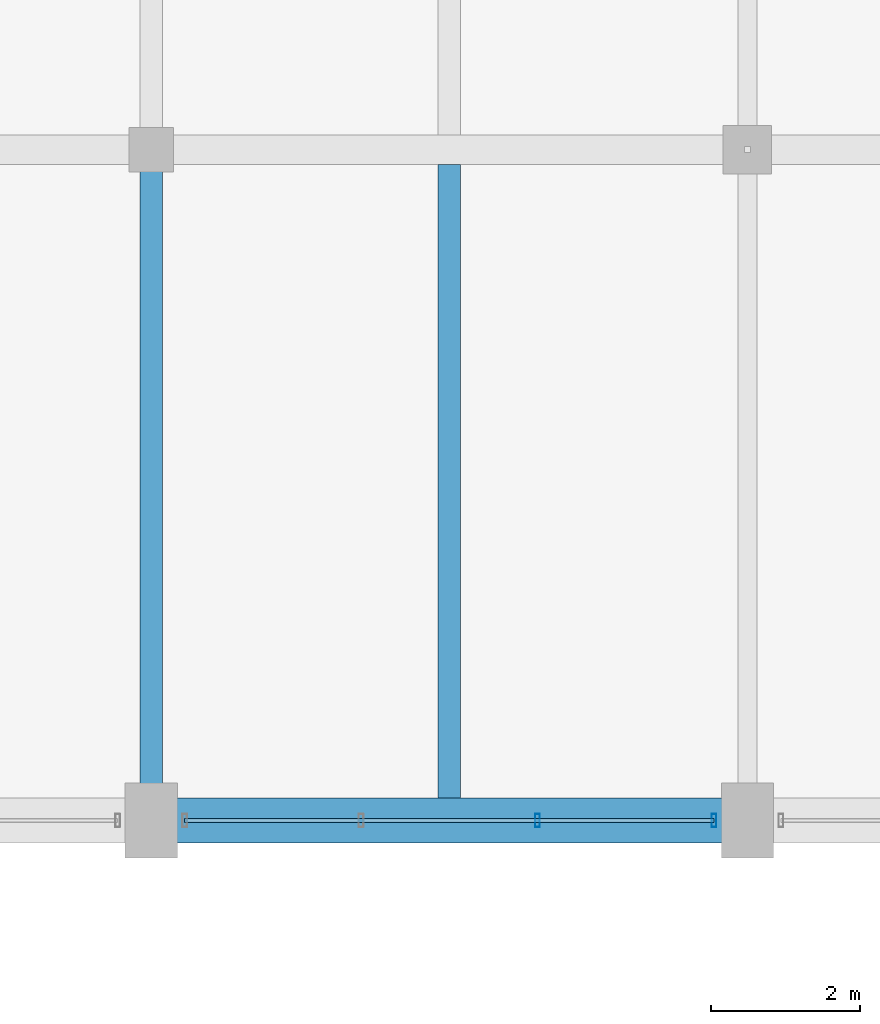
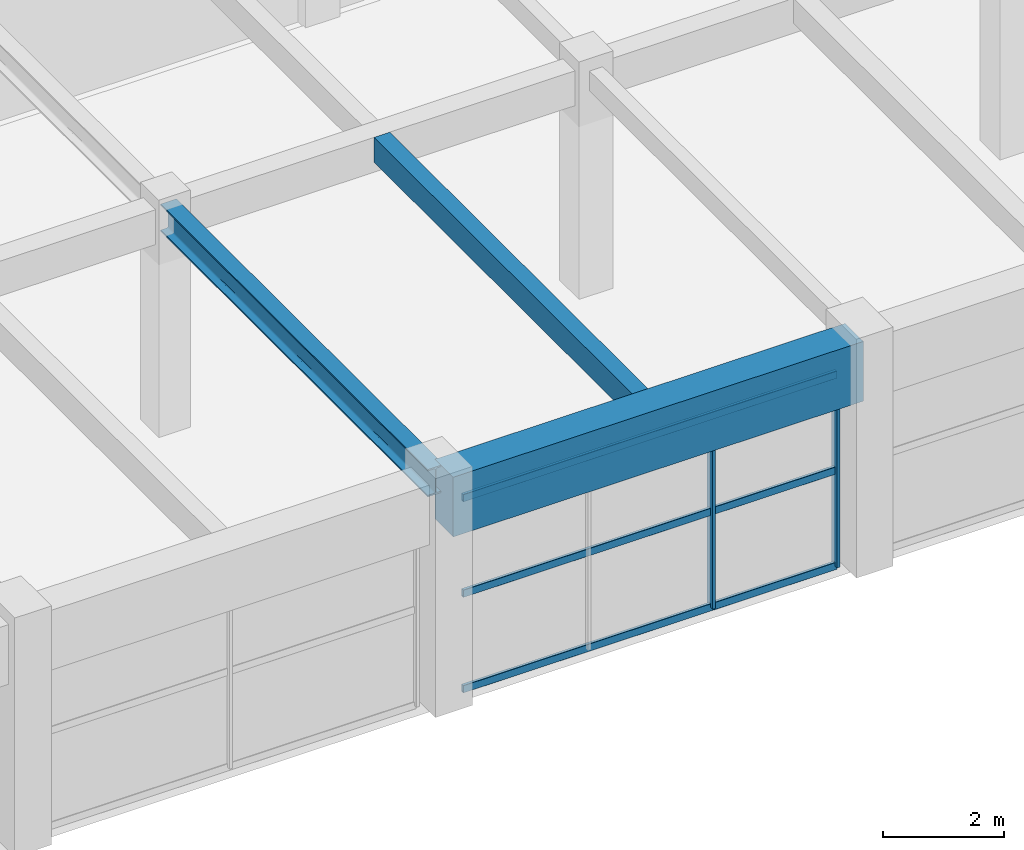
# One storey, part 87 of 144: 5 members, 3 beams, 1 element without a shape of its own.
"""IFC4 building model written with IfcOpenShell, lengths in metres."""

import ifcopenshell
import ifcopenshell.guid

model = None  # the IFC model being written
_history = None  # IfcOwnerHistory: only IFC2X3 demands one
_inside = {}  # id of a spatial element -> (the spatial element, [elements in it])
_under = {}  # id of a project, library or spatial element -> (it, [spatial elements below it])
_declared = {}  # id of a project -> (the project, [libraries it declares])
_typed = {}  # id of a type object -> (the type object, [elements of that type])
_made_of = {}  # id of a material, layer set ... -> (it, [elements and type objects made of it])


def new_model(schema):
    """Start an empty IFC model of exactly this schema.

    Asked for "IFC4X3", IfcOpenShell would pick the latest addendum, in which some entities
    have other attributes; the version numbers below select the first issue.
    IFC2X3 requires an IfcOwnerHistory on every rooted entity: one is made here for all.
    """
    global model, _history
    if schema == "IFC4X3":
        model = ifcopenshell.file(schema_version=(4, 3, 0, 0))
    else:
        model = ifcopenshell.file(schema=schema)
    _inside.clear()
    _under.clear()
    _declared.clear()
    _typed.clear()
    _made_of.clear()
    _history = None
    if model.schema == "IFC2X3":
        org = make("IfcOrganization", Name="unknown")
        user = make(
            "IfcPersonAndOrganization",
            ThePerson=make("IfcPerson", FamilyName="unknown"),
            TheOrganization=org,
        )
        app = make(
            "IfcApplication",
            ApplicationDeveloper=org,
            Version="unknown",
            ApplicationFullName="unknown",
            ApplicationIdentifier="unknown",
        )
        _history = make(
            "IfcOwnerHistory",
            OwningUser=user,
            OwningApplication=app,
            ChangeAction="ADDED",
            CreationDate=0,
        )
    return model


def make(cls, **values):
    """One entity of the class cls with the attributes given. An attribute that is None is left unset."""
    return model.create_entity(
        cls, **{name: value for name, value in values.items() if value is not None}
    )


def rooted(cls, **values):
    """An entity with a GlobalId (a new one), such as an element, a storey or a relation."""
    return make(cls, GlobalId=ifcopenshell.guid.new(), OwnerHistory=_history, **values)


def si_unit(unit_type, name, prefix=None):
    """IfcSIUnit, for example si_unit("LENGTHUNIT", "METRE", prefix="MILLI")."""
    return make("IfcSIUnit", UnitType=unit_type, Prefix=prefix, Name=name)


def assignment(units):
    """IfcUnitAssignment: the units of a project."""
    return None if units is None else make("IfcUnitAssignment", Units=units)


def point(xyz):
    """IfcCartesianPoint."""
    return None if xyz is None else make("IfcCartesianPoint", Coordinates=xyz)


def direction(xyz):
    """IfcDirection."""
    return None if xyz is None else make("IfcDirection", DirectionRatios=xyz)


def frame(location, z_axis=None, x_axis=None):
    """IfcAxis2Placement3D, a coordinate frame: its origin and axes. An axis left out is left unset."""
    return make(
        "IfcAxis2Placement3D",
        Location=point(location),
        Axis=direction(z_axis),
        RefDirection=direction(x_axis),
    )


def frame_2d(location, x_axis=None):
    """IfcAxis2Placement2D, a coordinate frame in the plane: its origin and x axis."""
    return make(
        "IfcAxis2Placement2D", Location=point(location), RefDirection=direction(x_axis)
    )


def origin():
    """The frame at (0, 0, 0) with its axes left unset."""
    return frame((0.0, 0.0, 0.0))


def origin_2d():
    """The frame at (0, 0) in the plane with its x axis left unset."""
    return frame_2d((0.0, 0.0))


def place(relative_to, where):
    """IfcLocalPlacement: puts the frame where relative to a parent placement (None: the world)."""
    return make(
        "IfcLocalPlacement", PlacementRelTo=relative_to, RelativePlacement=where
    )


def context(
    kind, dimensions, precision=None, world=None, true_north=None, identifier=None
):
    """IfcGeometricRepresentationContext, for example the 3D "Model" context."""
    return make(
        "IfcGeometricRepresentationContext",
        ContextIdentifier=identifier,
        ContextType=kind,
        CoordinateSpaceDimension=dimensions,
        Precision=precision,
        WorldCoordinateSystem=world,
        TrueNorth=true_north,
    )


def subcontext(parent, identifier, kind, view, scale=None):
    """IfcGeometricRepresentationSubContext, for example "Body" below "Model"."""
    return make(
        "IfcGeometricRepresentationSubContext",
        ContextIdentifier=identifier,
        ContextType=kind,
        ParentContext=parent,
        TargetScale=scale,
        TargetView=view,
    )


def project(units=None, contexts=None):
    """IfcProject with its units and contexts."""
    return rooted(
        "IfcProject",
        Name="project",
        RepresentationContexts=contexts,
        UnitsInContext=assignment(units),
    )


def spatial(cls, under=None, at=None, **own):
    """A site, building, storey or space (cls), placed at a placement, below another one or the project."""
    s = rooted(cls, ObjectPlacement=at, **own)
    if under is not None:
        _under.setdefault(under.id(), (under, []))[1].append(s)
    return s


def profile(cls, at=None, kind="AREA", **sizes):
    """A parametric profile (cls). Its sizes go by their IFC names, for example OverallWidth=200.0."""
    return make(cls, ProfileType=kind, Position=at, **sizes)


def rectangle(**sizes):
    """IfcRectangleProfileDef."""
    return profile("IfcRectangleProfileDef", **sizes)


def hollow_rectangle(**sizes):
    """IfcRectangleHollowProfileDef."""
    return profile("IfcRectangleHollowProfileDef", **sizes)


def i_section(**sizes):
    """IfcIShapeProfileDef."""
    return profile("IfcIShapeProfileDef", **sizes)


def extrude(swept, where, along, depth):
    """IfcExtrudedAreaSolid: the profile swept, set in the frame where, extruded along a direction by depth."""
    return make(
        "IfcExtrudedAreaSolid",
        SweptArea=swept,
        Position=where,
        ExtrudedDirection=direction(along),
        Depth=depth,
    )


def shape(context_of_items, identifier, shape_type, items):
    """IfcShapeRepresentation: the items that make up one representation, for example the "Body"."""
    return make(
        "IfcShapeRepresentation",
        ContextOfItems=context_of_items,
        RepresentationIdentifier=identifier,
        RepresentationType=shape_type,
        Items=items,
    )


def material(Name=None, Category=None):
    """IfcMaterial."""
    return make("IfcMaterial", Name=Name, Category=Category)


def material_profile(
    of_material, cross_section, Name=None, Category=None, Priority=None
):
    """IfcMaterialProfile: a cross section and its material."""
    return make(
        "IfcMaterialProfile",
        Name=Name,
        Material=of_material,
        Profile=cross_section,
        Priority=Priority,
        Category=Category,
    )


def profile_set(profiles, Name=None, composite=None):
    """IfcMaterialProfileSet."""
    return make(
        "IfcMaterialProfileSet",
        Name=Name,
        MaterialProfiles=profiles,
        CompositeProfile=composite,
    )


def made_of(thing, what):
    """Note that an element or type object is made of a material, layer set ...; save() writes the relation."""
    if what is not None:
        _made_of.setdefault(what.id(), (what, []))[1].append(thing)
    return thing


def type_object(cls, material=None, **own):
    """A type object (cls), such as IfcWallType, which elements share."""
    return made_of(rooted(cls, **own), material)


def element(
    cls,
    number,
    at=None,
    inside=None,
    cuts=None,
    type_object=None,
    material=None,
    context=None,
    identifier="Body",
    shape_type=None,
    held_by="IfcProductDefinitionShape",
    body=None,
    shapes=None,
    **own,
):
    """One element of the class cls, such as IfcWall. Its Tag is "e" and its number.

    at: its placement. inside: the storey or other place that contains it. cuts: it is an
    opening in that element (IfcRelVoidsElement). A single representation is given by context,
    identifier, shape_type and body (its items); several are given by shapes. held_by: the class
    of the entity that holds the representations. save() writes the other relations.
    """
    e = rooted(cls, Tag="e%d" % number, ObjectPlacement=at, **own)
    if body is not None:
        shapes = [shape(context, identifier, shape_type, body)]
    if shapes is not None:
        e.Representation = make(held_by, Representations=shapes)
    if inside is not None:
        _inside.setdefault(inside.id(), (inside, []))[1].append(e)
    if cuts is not None:
        rooted(
            "IfcRelVoidsElement", RelatingBuildingElement=cuts, RelatedOpeningElement=e
        )
    if type_object is not None:
        _typed.setdefault(type_object.id(), (type_object, []))[1].append(e)
    return made_of(e, material)


def aggregate(whole, parts):
    """IfcRelAggregates: a whole, such as a stair, and the parts it consists of."""
    return rooted("IfcRelAggregates", RelatingObject=whole, RelatedObjects=parts)


def save(model, path):
    """Write the relations noted so far, then the file.

    IfcRelAggregates (storeys below a building ...), IfcRelContainedInSpatialStructure (elements
    in a storey), IfcRelDefinesByType, IfcRelAssociatesMaterial and IfcRelDeclares: one each for
    every whole, place, type object, material and project.
    """
    for whole, parts in _under.values():
        aggregate(whole, parts)
    for where, things in _inside.values():
        rooted(
            "IfcRelContainedInSpatialStructure",
            RelatedElements=things,
            RelatingStructure=where,
        )
    for kind, things in _typed.values():
        rooted("IfcRelDefinesByType", RelatedObjects=things, RelatingType=kind)
    for what, things in _made_of.values():
        rooted("IfcRelAssociatesMaterial", RelatedObjects=things, RelatingMaterial=what)
    for by, libraries in _declared.values():
        rooted("IfcRelDeclares", RelatingContext=by, RelatedDefinitions=libraries)
    model.write(path)


model = new_model("IFC4")

# Units and contexts
model_context = context("Model", 3, precision=1e-05, world=origin(), true_north=direction((0.0, 1.0)))
body_context = subcontext(model_context, "Body", "Model", "MODEL_VIEW")
ifc_project = project(units=[si_unit("LENGTHUNIT", "METRE"), si_unit("AREAUNIT", "SQUARE_METRE"), si_unit("VOLUMEUNIT", "CUBIC_METRE"), si_unit("PLANEANGLEUNIT", "RADIAN"), si_unit("MASSUNIT", "GRAM", prefix="KILO")], contexts=[model_context])

# Site, building, storey
site_placement = place(None, origin())
site = spatial("IfcSite", under=ifc_project, at=site_placement, CompositionType="ELEMENT")
building_placement = place(site_placement, origin())
building = spatial("IfcBuilding", under=site, at=building_placement, Name="Varnabhumi Central Station", CompositionType="ELEMENT")
storey_placement = place(building_placement, frame((0.0, 0.0, 4.800048828125)))
storey = spatial("IfcBuildingStorey", under=building, at=storey_placement, Name="L01", CompositionType="ELEMENT", Elevation=4.800048828125)

# Beams
ifc_material_1 = material(Name="Concrete M50", Category="concrete")
ifc_material_profile_1 = material_profile(ifc_material_1, rectangle(XDim=0.60009765625, YDim=1.199951171875, at=origin_2d()), Name="Concrete M50", Category="concrete")
ifc_profile_set_1 = profile_set([ifc_material_profile_1], Name="Concrete M50")
beam_type_1 = type_object("IfcBeamType", Name="BM-RC-1200x600", PredefinedType="BEAM", material=ifc_profile_set_1)
beam_1_placement = place(storey_placement, frame((136.10009765625, 80.0, 3.949951171875), z_axis=(1.0, 0.0, 0.0), x_axis=(0.0, 1.0, 0.0)))
element("IfcBeam", 1, at=beam_1_placement, inside=storey, type_object=beam_type_1, Name="Beam L01-K:18-19", PredefinedType="BEAM", context=body_context, shape_type="SweptSolid", body=[
    extrude(rectangle(XDim=0.60009765625, YDim=1.199951171875, at=origin_2d()), origin(), (0.0, 0.0, 1.0), 7.7998046875),
])
ifc_material_2 = material(Name="Concrete M40", Category="concrete")
ifc_material_profile_2 = material_profile(ifc_material_2, rectangle(XDim=0.300048828125, YDim=0.5, at=origin_2d()), Name="Concrete M40", Category="concrete")
ifc_profile_set_2 = profile_set([ifc_material_profile_2], Name="Concrete M40")
beam_type_2 = type_object("IfcBeamType", Name="BM-RC-300x500", PredefinedType="JOIST", material=ifc_profile_set_2)
beam_2_placement = place(storey_placement, frame((140.0, 80.300048828125, 4.300048828125), z_axis=(0.0, 1.0, 0.0), x_axis=(-1.0, 0.0, 0.0)))
element("IfcBeam", 2, at=beam_2_placement, inside=storey, type_object=beam_type_2, Name="Secondary Joist L01-18/19:K-L", PredefinedType="JOIST", context=body_context, shape_type="SweptSolid", body=[
    extrude(rectangle(XDim=0.300048828125, YDim=0.5, at=origin_2d()), origin(), (0.0, 0.0, 1.0), 8.5),
])
ifc_material_3 = material(Name="Structural steel E350", Category="steel")
ifc_material_profile_3 = material_profile(ifc_material_3, i_section(OverallWidth=0.300048828125, OverallDepth=0.550048828125, WebThickness=0.014892578125, FlangeThickness=0.029052734375, FilletRadius=0.027099609375, at=origin_2d()), Name="Structural steel E350", Category="steel")
ifc_profile_set_3 = profile_set([ifc_material_profile_3], Name="Structural steel E350")
beam_type_3 = type_object("IfcBeamType", Name="BM-STL-WPB550", PredefinedType="BEAM", material=ifc_profile_set_3)
beam_3_placement = place(storey_placement, frame((136.0, 80.10009765625, 4.27490234375), z_axis=(0.0, 1.0, 0.0), x_axis=(-1.0, 0.0, 0.0)))
element("IfcBeam", 3, at=beam_3_placement, inside=storey, type_object=beam_type_3, Name="Beam L01-18:K-L", PredefinedType="BEAM", context=body_context, shape_type="SweptSolid", body=[
    extrude(i_section(OverallWidth=0.300048828125, OverallDepth=0.550048828125, WebThickness=0.014892578125, FlangeThickness=0.029052734375, FilletRadius=0.027099609375, at=origin_2d()), origin(), (0.0, 0.0, 1.0), 8.7998046875),
])

# Curtain wall, members
ifc_material_4 = material(Name="Anodised aluminium 6063-T6", Category="aluminium")
curtain_wall_type = type_object("IfcCurtainWallType", Name="CW-STREET-PORTAL", PredefinedType="NOTDEFINED", material=ifc_material_4)
curtain_wall_placement = place(storey_placement, origin())
curtain_wall = element("IfcCurtainWall", 4, at=curtain_wall_placement, inside=storey, type_object=curtain_wall_type, Name="Curtain Wall CW-NSP117", PredefinedType="NOTDEFINED")
ifc_material_profile_4 = material_profile(ifc_material_4, hollow_rectangle(XDim=0.06494140625, YDim=0.179931640625, WallThickness=0.00390625, InnerFilletRadius=0.001953125, OuterFilletRadius=0.006103515625, at=origin_2d()), Name="Anodised aluminium 6063-T6", Category="aluminium")
ifc_profile_set_4 = profile_set([ifc_material_profile_4], Name="Anodised aluminium 6063-T6")
member_type_1 = type_object("IfcMemberType", Name="CW-MUL-180", PredefinedType="MULLION", material=ifc_profile_set_4)
member_1_placement = place(storey_placement, frame((141.183349609375, 80.0, 0.0), z_axis=(0.0, 0.0, 1.0), x_axis=(1.0, 0.0, 0.0)))
member_1 = element("IfcMember", 5, at=member_1_placement, type_object=member_type_1, Name="Curtain Wall Mullion CW-NSP117-M3", PredefinedType="MULLION", context=body_context, shape_type="SweptSolid", body=[
    extrude(hollow_rectangle(XDim=0.06494140625, YDim=0.179931640625, WallThickness=0.00390625, InnerFilletRadius=0.001953125, OuterFilletRadius=0.006103515625, at=origin_2d()), origin(), (0.0, 0.0, 1.0), 3.83984375),
])
member_2_placement = place(storey_placement, frame((143.550048828125, 80.0, 0.0), z_axis=(0.0, 0.0, 1.0), x_axis=(1.0, 0.0, 0.0)))
member_2 = element("IfcMember", 6, at=member_2_placement, type_object=member_type_1, Name="Curtain Wall Mullion CW-NSP117-M4", PredefinedType="MULLION", context=body_context, shape_type="SweptSolid", body=[
    extrude(hollow_rectangle(XDim=0.06494140625, YDim=0.179931640625, WallThickness=0.00390625, InnerFilletRadius=0.001953125, OuterFilletRadius=0.006103515625, at=origin_2d()), origin(), (0.0, 0.0, 1.0), 3.83984375),
])
ifc_material_profile_5 = material_profile(ifc_material_4, hollow_rectangle(XDim=0.06005859375, YDim=0.14990234375, WallThickness=0.00390625, InnerFilletRadius=0.001953125, OuterFilletRadius=0.006103515625, at=origin_2d()), Name="Anodised aluminium 6063-T6", Category="aluminium")
ifc_profile_set_5 = profile_set([ifc_material_profile_5], Name="Anodised aluminium 6063-T6")
member_type_2 = type_object("IfcMemberType", Name="CW-TR-150", PredefinedType="USERDEFINED", material=ifc_profile_set_5)
member_3_placement = place(storey_placement, frame((136.449951171875, 80.0, 0.0), z_axis=(1.0, 0.0, 0.0), x_axis=(0.0, 1.0, 0.0)))
member_3 = element("IfcMember", 7, at=member_3_placement, type_object=member_type_2, Name="Curtain Wall Transom CW-NSP117-T1", ObjectType="TRANSOM", PredefinedType="USERDEFINED", context=body_context, shape_type="SweptSolid", body=[
    extrude(hollow_rectangle(XDim=0.06005859375, YDim=0.14990234375, WallThickness=0.00390625, InnerFilletRadius=0.001953125, OuterFilletRadius=0.006103515625, at=origin_2d()), origin(), (0.0, 0.0, 1.0), 7.10009765625),
])
member_4_placement = place(storey_placement, frame((136.449951171875, 80.0, 1.919921875), z_axis=(1.0, 0.0, 0.0), x_axis=(0.0, 1.0, 0.0)))
member_4 = element("IfcMember", 8, at=member_4_placement, type_object=member_type_2, Name="Curtain Wall Transom CW-NSP117-T2", ObjectType="TRANSOM", PredefinedType="USERDEFINED", context=body_context, shape_type="SweptSolid", body=[
    extrude(hollow_rectangle(XDim=0.06005859375, YDim=0.14990234375, WallThickness=0.00390625, InnerFilletRadius=0.001953125, OuterFilletRadius=0.006103515625, at=origin_2d()), origin(), (0.0, 0.0, 1.0), 7.10009765625),
])
member_5_placement = place(storey_placement, frame((136.449951171875, 80.0, 3.83984375), z_axis=(1.0, 0.0, 0.0), x_axis=(0.0, 1.0, 0.0)))
member_5 = element("IfcMember", 9, at=member_5_placement, type_object=member_type_2, Name="Curtain Wall Transom CW-NSP117-T3", ObjectType="TRANSOM", PredefinedType="USERDEFINED", context=body_context, shape_type="SweptSolid", body=[
    extrude(hollow_rectangle(XDim=0.06005859375, YDim=0.14990234375, WallThickness=0.00390625, InnerFilletRadius=0.001953125, OuterFilletRadius=0.006103515625, at=origin_2d()), origin(), (0.0, 0.0, 1.0), 7.10009765625),
])
aggregate(curtain_wall, [member_1, member_2, member_3, member_4, member_5])

save(model, "model.ifc")
